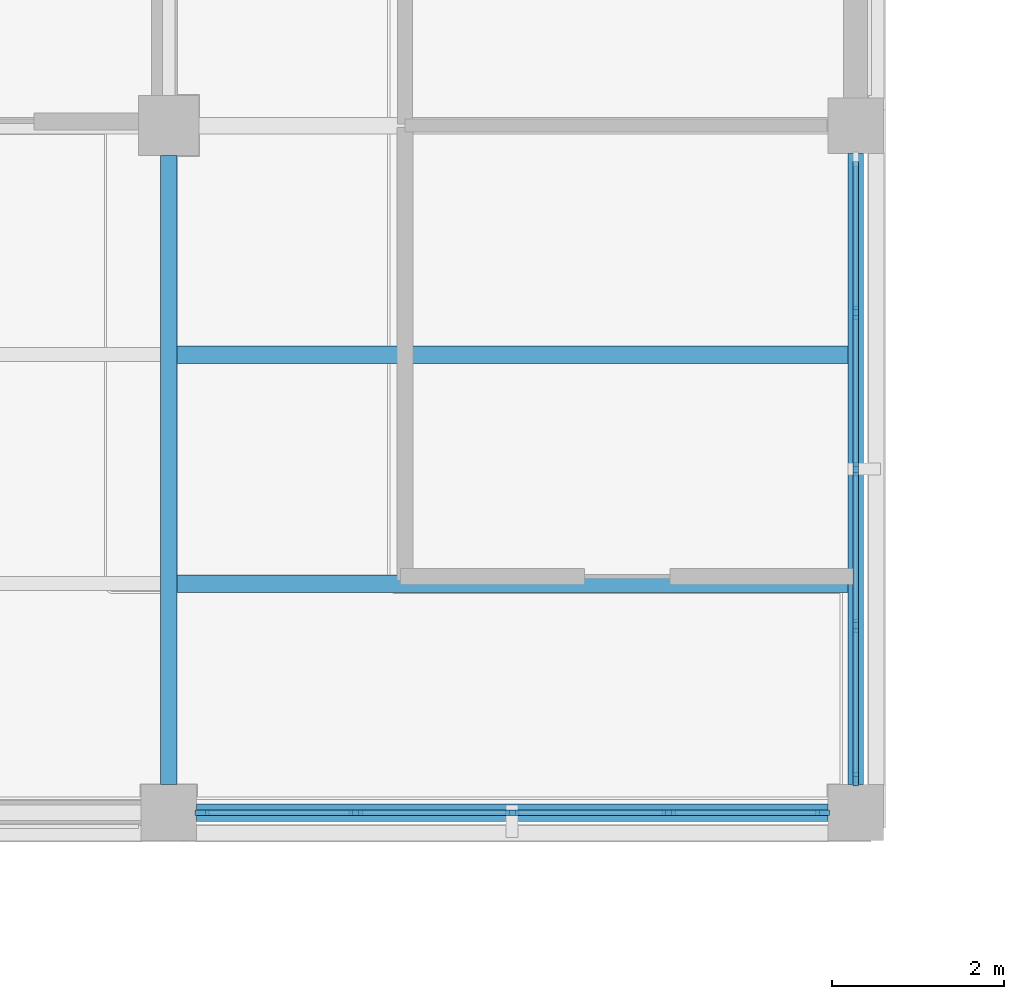
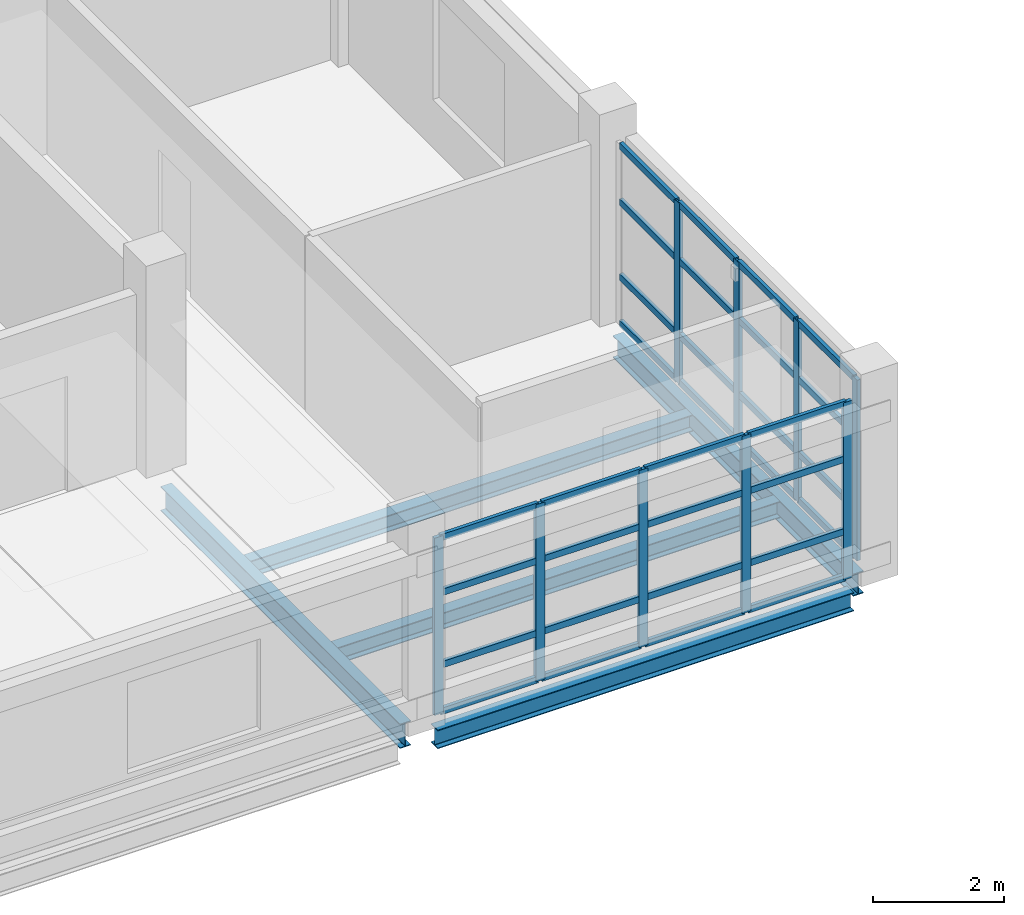
# One storey, part 26 of 92: 41 members, 5 beams, 2 elements without a shape of their own.
"""IFC4 building model written with IfcOpenShell, lengths in metres."""

from ifc_helpers import new_model, si_unit, derived_unit, direction, frame, origin, origin_2d, place, context, subcontext, project, spatial, rectangle, i_section, extrude, material, layer, layer_set, material_profile, profile_set, type_object, element, aggregate, save


model = new_model("IFC4")

# Units and contexts
model_context = context("Model", 3, precision=1e-05, world=origin(), true_north=direction((0.0, 1.0)))
body_context = subcontext(model_context, "Body", "Model", "MODEL_VIEW")
ifc_project = project(units=[si_unit("LENGTHUNIT", "METRE"), si_unit("AREAUNIT", "SQUARE_METRE"), si_unit("VOLUMEUNIT", "CUBIC_METRE"), si_unit("PLANEANGLEUNIT", "RADIAN"), si_unit("MASSUNIT", "GRAM", prefix="KILO"), derived_unit("THERMALTRANSMITTANCEUNIT", [(si_unit("MASSUNIT", "GRAM", prefix="KILO"), 1), (si_unit("TIMEUNIT", "SECOND"), -3), (si_unit("THERMODYNAMICTEMPERATUREUNIT", "KELVIN"), -1)])], contexts=[model_context])

# Site, building, storey
site_placement = place(None, origin())
site = spatial("IfcSite", under=ifc_project, at=site_placement, CompositionType="ELEMENT")
building_placement = place(site_placement, origin())
building = spatial("IfcBuilding", under=site, at=building_placement, Name="Veyamyaing Civic Hall", CompositionType="ELEMENT")
storey_placement = place(building_placement, frame((0.0, 0.0, 17.820068359375)))
storey = spatial("IfcBuildingStorey", under=building, at=storey_placement, Name="L04", CompositionType="ELEMENT", Elevation=17.820068359375)

# Beams
ifc_material_1 = material(Name="Steel ASTM A992", Category="steel")
ifc_material_profile_1 = material_profile(ifc_material_1, i_section(OverallWidth=0.18994140625, OverallDepth=0.45703125, WebThickness=0.009033203125, FlangeThickness=0.014404296875, FilletRadius=0.010009765625, at=origin_2d()), Name="W460X74")
ifc_profile_set_1 = profile_set([ifc_material_profile_1], Name="Steel ASTM A992")
beam_type_1 = type_object("IfcBeamType", Name="B-09", PredefinedType="BEAM", material=ifc_profile_set_1)
beam_1_placement = place(storey_placement, frame((40.0, 88.324951171875, -0.463623046875), z_axis=(0.0, 1.0, 0.0), x_axis=(-1.0, 0.0, 0.0)))
element("IfcBeam", 1, at=beam_1_placement, inside=storey, type_object=beam_type_1, Name="Girder B-09 L04 Grid 6 M-N", PredefinedType="BEAM", context=body_context, shape_type="SweptSolid", body=[
    extrude(i_section(OverallWidth=0.18994140625, OverallDepth=0.45703125, WebThickness=0.009033203125, FlangeThickness=0.014404296875, FilletRadius=0.010009765625, at=origin_2d()), origin(), (0.0, 0.0, 1.0), 7.324951171875),
])
ifc_material_profile_2 = material_profile(ifc_material_1, i_section(OverallWidth=0.2041015625, OverallDepth=0.35009765625, WebThickness=0.0078125, FlangeThickness=0.01513671875, FilletRadius=0.010009765625, at=origin_2d()), Name="W360X72")
ifc_profile_set_2 = profile_set([ifc_material_profile_2], Name="Steel ASTM A992")
beam_type_2 = type_object("IfcBeamType", Name="B-11", PredefinedType="SPANDREL", material=ifc_profile_set_2)
beam_2_placement = place(storey_placement, frame((40.324951171875, 88.0, -0.41015625), z_axis=(1.0, 0.0, 0.0), x_axis=(0.0, 1.0, 0.0)))
element("IfcBeam", 2, at=beam_2_placement, inside=storey, type_object=beam_type_2, Name="Girder B-11 L04 Grid M 6-7", PredefinedType="SPANDREL", context=body_context, shape_type="SweptSolid", body=[
    extrude(i_section(OverallWidth=0.2041015625, OverallDepth=0.35009765625, WebThickness=0.0078125, FlangeThickness=0.01513671875, FilletRadius=0.010009765625, at=origin_2d()), origin(), (0.0, 0.0, 1.0), 7.35009765625),
])
ifc_material_profile_3 = material_profile(ifc_material_1, i_section(OverallWidth=0.180908203125, OverallDepth=0.4169921875, WebThickness=0.010986328125, FlangeThickness=0.018310546875, FilletRadius=0.010009765625, at=origin_2d()), Name="W410X85")
ifc_profile_set_3 = profile_set([ifc_material_profile_3], Name="Steel ASTM A992")
beam_type_3 = type_object("IfcBeamType", Name="B-19", PredefinedType="SPANDREL", material=ifc_profile_set_3)
beam_3_placement = place(storey_placement, frame((48.0, 88.324951171875, -0.443603515625), z_axis=(0.0, 1.0, 0.0), x_axis=(-1.0, 0.0, 0.0)))
element("IfcBeam", 3, at=beam_3_placement, inside=storey, type_object=beam_type_3, Name="Girder B-19 L04 Grid 7 M-N", PredefinedType="SPANDREL", context=body_context, shape_type="SweptSolid", body=[
    extrude(i_section(OverallWidth=0.180908203125, OverallDepth=0.4169921875, WebThickness=0.010986328125, FlangeThickness=0.018310546875, FilletRadius=0.010009765625, at=origin_2d()), origin(), (0.0, 0.0, 1.0), 7.35009765625),
])

# Curtain wall, members
ifc_material_2 = material(Name="Anodised aluminium 6063-T6", Category="aluminium")
ifc_layer = layer(ifc_material_2, 0.159912109375, Name="Anodised aluminium 6063-T6")
ifc_layer_set = layer_set([ifc_layer], Name="Anodised aluminium 6063-T6")
curtain_wall_type = type_object("IfcCurtainWallType", Name="CW-08", PredefinedType="NOTDEFINED", material=ifc_layer_set)
curtain_wall_1_placement = place(storey_placement, origin())
curtain_wall_1 = element("IfcCurtainWall", 4, at=curtain_wall_1_placement, inside=storey, type_object=curtain_wall_type, Name="Unitized curtain wall CW-08 L04 S 6.12", PredefinedType="NOTDEFINED")
ifc_material_profile_4 = material_profile(ifc_material_2, rectangle(XDim=0.06494140625, YDim=0.159912109375, at=origin_2d()), Name="ALU-MUL-65X160")
ifc_profile_set_4 = profile_set([ifc_material_profile_4], Name="Anodised aluminium 6063-T6")
member_type_1 = type_object("IfcMemberType", Name="CWM-01", PredefinedType="MULLION", material=ifc_profile_set_4)
member_1_placement = place(storey_placement, frame((40.387451171875, 88.0, 0.0), z_axis=(0.0, 0.0, 1.0), x_axis=(0.0, 1.0, 0.0)))
member_1 = element("IfcMember", 5, at=member_1_placement, type_object=member_type_1, Name="CW-08 mullion 1", PredefinedType="MULLION", context=body_context, shape_type="SweptSolid", body=[
    extrude(rectangle(XDim=0.06494140625, YDim=0.159912109375, at=origin_2d()), origin(), (0.0, 0.0, 1.0), 3.309814453125),
])
member_2_placement = place(storey_placement, frame((42.177490234375, 88.0, 0.0), z_axis=(0.0, 0.0, 1.0), x_axis=(0.0, 1.0, 0.0)))
member_2 = element("IfcMember", 6, at=member_2_placement, type_object=member_type_1, Name="CW-08 mullion 2", PredefinedType="MULLION", context=body_context, shape_type="SweptSolid", body=[
    extrude(rectangle(XDim=0.06494140625, YDim=0.159912109375, at=origin_2d()), origin(), (0.0, 0.0, 1.0), 3.309814453125),
])
member_3_placement = place(storey_placement, frame((44.0, 88.0, 0.0), z_axis=(0.0, 0.0, 1.0), x_axis=(0.0, 1.0, 0.0)))
member_3 = element("IfcMember", 7, at=member_3_placement, type_object=member_type_1, Name="CW-08 mullion 3", PredefinedType="MULLION", context=body_context, shape_type="SweptSolid", body=[
    extrude(rectangle(XDim=0.06494140625, YDim=0.159912109375, at=origin_2d()), origin(), (0.0, 0.0, 1.0), 3.309814453125),
])
member_4_placement = place(storey_placement, frame((45.822509765625, 88.0, 0.0), z_axis=(0.0, 0.0, 1.0), x_axis=(0.0, 1.0, 0.0)))
member_4 = element("IfcMember", 8, at=member_4_placement, type_object=member_type_1, Name="CW-08 mullion 4", PredefinedType="MULLION", context=body_context, shape_type="SweptSolid", body=[
    extrude(rectangle(XDim=0.06494140625, YDim=0.159912109375, at=origin_2d()), origin(), (0.0, 0.0, 1.0), 3.309814453125),
])
member_5_placement = place(storey_placement, frame((47.612548828125, 88.0, 0.0), z_axis=(0.0, 0.0, 1.0), x_axis=(0.0, 1.0, 0.0)))
member_5 = element("IfcMember", 9, at=member_5_placement, type_object=member_type_1, Name="CW-08 mullion 5", PredefinedType="MULLION", context=body_context, shape_type="SweptSolid", body=[
    extrude(rectangle(XDim=0.06494140625, YDim=0.159912109375, at=origin_2d()), origin(), (0.0, 0.0, 1.0), 3.309814453125),
])

curtain_wall_2_placement = place(storey_placement, origin())
curtain_wall_2 = element("IfcCurtainWall", 10, at=curtain_wall_2_placement, inside=storey, type_object=curtain_wall_type, Name="Unitized curtain wall CW-08 L04 E 6.12", PredefinedType="NOTDEFINED")
member_6_placement = place(storey_placement, frame((48.0, 88.387451171875, 0.0), z_axis=(0.0, 0.0, 1.0), x_axis=(-1.0, 0.0, 0.0)))
member_6 = element("IfcMember", 11, at=member_6_placement, type_object=member_type_1, Name="CW-08 mullion 1", PredefinedType="MULLION", context=body_context, shape_type="SweptSolid", body=[
    extrude(rectangle(XDim=0.06494140625, YDim=0.159912109375, at=origin_2d()), origin(), (0.0, 0.0, 1.0), 3.3740234375),
])
member_7_placement = place(storey_placement, frame((48.0, 90.177490234375, 0.0), z_axis=(0.0, 0.0, 1.0), x_axis=(-1.0, 0.0, 0.0)))
member_7 = element("IfcMember", 12, at=member_7_placement, type_object=member_type_1, Name="CW-08 mullion 2", PredefinedType="MULLION", context=body_context, shape_type="SweptSolid", body=[
    extrude(rectangle(XDim=0.06494140625, YDim=0.159912109375, at=origin_2d()), origin(), (0.0, 0.0, 1.0), 3.3740234375),
])
member_8_placement = place(storey_placement, frame((48.0, 92.0, 0.0), z_axis=(0.0, 0.0, 1.0), x_axis=(-1.0, 0.0, 0.0)))
member_8 = element("IfcMember", 13, at=member_8_placement, type_object=member_type_1, Name="CW-08 mullion 3", PredefinedType="MULLION", context=body_context, shape_type="SweptSolid", body=[
    extrude(rectangle(XDim=0.06494140625, YDim=0.159912109375, at=origin_2d()), origin(), (0.0, 0.0, 1.0), 3.3740234375),
])
member_9_placement = place(storey_placement, frame((48.0, 93.822509765625, 0.0), z_axis=(0.0, 0.0, 1.0), x_axis=(-1.0, 0.0, 0.0)))
member_9 = element("IfcMember", 14, at=member_9_placement, type_object=member_type_1, Name="CW-08 mullion 4", PredefinedType="MULLION", context=body_context, shape_type="SweptSolid", body=[
    extrude(rectangle(XDim=0.06494140625, YDim=0.159912109375, at=origin_2d()), origin(), (0.0, 0.0, 1.0), 3.3740234375),
])

# Member
ifc_material_profile_5 = material_profile(ifc_material_2, rectangle(XDim=0.06494140625, YDim=0.1201171875, at=origin_2d()), Name="ALU-TRN-65X120")
ifc_profile_set_5 = profile_set([ifc_material_profile_5], Name="Anodised aluminium 6063-T6")
member_type_2 = type_object("IfcMemberType", Name="CWT-01", PredefinedType="USERDEFINED", material=ifc_profile_set_5)
member_10_placement = place(storey_placement, frame((40.419921875, 88.0, 0.032470703125), z_axis=(1.0, 0.0, 0.0), x_axis=(0.0, 1.0, 0.0)))
member_10 = element("IfcMember", 15, at=member_10_placement, type_object=member_type_2, Name="CW-08 transom 1.1", ObjectType="TRANSOM", PredefinedType="USERDEFINED", context=body_context, shape_type="SweptSolid", body=[
    extrude(rectangle(XDim=0.06494140625, YDim=0.1201171875, at=origin_2d()), origin(), (0.0, 0.0, 1.0), 1.72509765625),
])

member_11_placement = place(storey_placement, frame((40.419921875, 88.0, 0.89990234375), z_axis=(1.0, 0.0, 0.0), x_axis=(0.0, 1.0, 0.0)))
member_11 = element("IfcMember", 16, at=member_11_placement, type_object=member_type_2, Name="CW-08 transom 1.2", ObjectType="TRANSOM", PredefinedType="USERDEFINED", context=body_context, shape_type="SweptSolid", body=[
    extrude(rectangle(XDim=0.06494140625, YDim=0.1201171875, at=origin_2d()), origin(), (0.0, 0.0, 1.0), 1.72509765625),
])

member_12_placement = place(storey_placement, frame((40.419921875, 88.0, 2.250732421875), z_axis=(1.0, 0.0, 0.0), x_axis=(0.0, 1.0, 0.0)))
member_12 = element("IfcMember", 17, at=member_12_placement, type_object=member_type_2, Name="CW-08 transom 1.3", ObjectType="TRANSOM", PredefinedType="USERDEFINED", context=body_context, shape_type="SweptSolid", body=[
    extrude(rectangle(XDim=0.06494140625, YDim=0.1201171875, at=origin_2d()), origin(), (0.0, 0.0, 1.0), 1.72509765625),
])

member_13_placement = place(storey_placement, frame((40.419921875, 88.0, 3.27734375), z_axis=(1.0, 0.0, 0.0), x_axis=(0.0, 1.0, 0.0)))
member_13 = element("IfcMember", 18, at=member_13_placement, type_object=member_type_2, Name="CW-08 transom 1.4", ObjectType="TRANSOM", PredefinedType="USERDEFINED", context=body_context, shape_type="SweptSolid", body=[
    extrude(rectangle(XDim=0.06494140625, YDim=0.1201171875, at=origin_2d()), origin(), (0.0, 0.0, 1.0), 1.72509765625),
])

member_14_placement = place(storey_placement, frame((42.2099609375, 88.0, 0.032470703125), z_axis=(1.0, 0.0, 0.0), x_axis=(0.0, 1.0, 0.0)))
member_14 = element("IfcMember", 19, at=member_14_placement, type_object=member_type_2, Name="CW-08 transom 2.1", ObjectType="TRANSOM", PredefinedType="USERDEFINED", context=body_context, shape_type="SweptSolid", body=[
    extrude(rectangle(XDim=0.06494140625, YDim=0.1201171875, at=origin_2d()), origin(), (0.0, 0.0, 1.0), 1.757568359375),
])

member_15_placement = place(storey_placement, frame((42.2099609375, 88.0, 0.89990234375), z_axis=(1.0, 0.0, 0.0), x_axis=(0.0, 1.0, 0.0)))
member_15 = element("IfcMember", 20, at=member_15_placement, type_object=member_type_2, Name="CW-08 transom 2.2", ObjectType="TRANSOM", PredefinedType="USERDEFINED", context=body_context, shape_type="SweptSolid", body=[
    extrude(rectangle(XDim=0.06494140625, YDim=0.1201171875, at=origin_2d()), origin(), (0.0, 0.0, 1.0), 1.757568359375),
])

member_16_placement = place(storey_placement, frame((42.2099609375, 88.0, 2.250732421875), z_axis=(1.0, 0.0, 0.0), x_axis=(0.0, 1.0, 0.0)))
member_16 = element("IfcMember", 21, at=member_16_placement, type_object=member_type_2, Name="CW-08 transom 2.3", ObjectType="TRANSOM", PredefinedType="USERDEFINED", context=body_context, shape_type="SweptSolid", body=[
    extrude(rectangle(XDim=0.06494140625, YDim=0.1201171875, at=origin_2d()), origin(), (0.0, 0.0, 1.0), 1.757568359375),
])

member_17_placement = place(storey_placement, frame((42.2099609375, 88.0, 3.27734375), z_axis=(1.0, 0.0, 0.0), x_axis=(0.0, 1.0, 0.0)))
member_17 = element("IfcMember", 22, at=member_17_placement, type_object=member_type_2, Name="CW-08 transom 2.4", ObjectType="TRANSOM", PredefinedType="USERDEFINED", context=body_context, shape_type="SweptSolid", body=[
    extrude(rectangle(XDim=0.06494140625, YDim=0.1201171875, at=origin_2d()), origin(), (0.0, 0.0, 1.0), 1.757568359375),
])

member_18_placement = place(storey_placement, frame((44.032470703125, 88.0, 0.032470703125), z_axis=(1.0, 0.0, 0.0), x_axis=(0.0, 1.0, 0.0)))
member_18 = element("IfcMember", 23, at=member_18_placement, type_object=member_type_2, Name="CW-08 transom 3.1", ObjectType="TRANSOM", PredefinedType="USERDEFINED", context=body_context, shape_type="SweptSolid", body=[
    extrude(rectangle(XDim=0.06494140625, YDim=0.1201171875, at=origin_2d()), origin(), (0.0, 0.0, 1.0), 1.757568359375),
])

member_19_placement = place(storey_placement, frame((44.032470703125, 88.0, 0.89990234375), z_axis=(1.0, 0.0, 0.0), x_axis=(0.0, 1.0, 0.0)))
member_19 = element("IfcMember", 24, at=member_19_placement, type_object=member_type_2, Name="CW-08 transom 3.2", ObjectType="TRANSOM", PredefinedType="USERDEFINED", context=body_context, shape_type="SweptSolid", body=[
    extrude(rectangle(XDim=0.06494140625, YDim=0.1201171875, at=origin_2d()), origin(), (0.0, 0.0, 1.0), 1.757568359375),
])

member_20_placement = place(storey_placement, frame((44.032470703125, 88.0, 2.250732421875), z_axis=(1.0, 0.0, 0.0), x_axis=(0.0, 1.0, 0.0)))
member_20 = element("IfcMember", 25, at=member_20_placement, type_object=member_type_2, Name="CW-08 transom 3.3", ObjectType="TRANSOM", PredefinedType="USERDEFINED", context=body_context, shape_type="SweptSolid", body=[
    extrude(rectangle(XDim=0.06494140625, YDim=0.1201171875, at=origin_2d()), origin(), (0.0, 0.0, 1.0), 1.757568359375),
])

member_21_placement = place(storey_placement, frame((44.032470703125, 88.0, 3.27734375), z_axis=(1.0, 0.0, 0.0), x_axis=(0.0, 1.0, 0.0)))
member_21 = element("IfcMember", 26, at=member_21_placement, type_object=member_type_2, Name="CW-08 transom 3.4", ObjectType="TRANSOM", PredefinedType="USERDEFINED", context=body_context, shape_type="SweptSolid", body=[
    extrude(rectangle(XDim=0.06494140625, YDim=0.1201171875, at=origin_2d()), origin(), (0.0, 0.0, 1.0), 1.757568359375),
])

member_22_placement = place(storey_placement, frame((45.85498046875, 88.0, 0.032470703125), z_axis=(1.0, 0.0, 0.0), x_axis=(0.0, 1.0, 0.0)))
member_22 = element("IfcMember", 27, at=member_22_placement, type_object=member_type_2, Name="CW-08 transom 4.1", ObjectType="TRANSOM", PredefinedType="USERDEFINED", context=body_context, shape_type="SweptSolid", body=[
    extrude(rectangle(XDim=0.06494140625, YDim=0.1201171875, at=origin_2d()), origin(), (0.0, 0.0, 1.0), 1.72509765625),
])

member_23_placement = place(storey_placement, frame((45.85498046875, 88.0, 0.89990234375), z_axis=(1.0, 0.0, 0.0), x_axis=(0.0, 1.0, 0.0)))
member_23 = element("IfcMember", 28, at=member_23_placement, type_object=member_type_2, Name="CW-08 transom 4.2", ObjectType="TRANSOM", PredefinedType="USERDEFINED", context=body_context, shape_type="SweptSolid", body=[
    extrude(rectangle(XDim=0.06494140625, YDim=0.1201171875, at=origin_2d()), origin(), (0.0, 0.0, 1.0), 1.72509765625),
])

member_24_placement = place(storey_placement, frame((45.85498046875, 88.0, 2.250732421875), z_axis=(1.0, 0.0, 0.0), x_axis=(0.0, 1.0, 0.0)))
member_24 = element("IfcMember", 29, at=member_24_placement, type_object=member_type_2, Name="CW-08 transom 4.3", ObjectType="TRANSOM", PredefinedType="USERDEFINED", context=body_context, shape_type="SweptSolid", body=[
    extrude(rectangle(XDim=0.06494140625, YDim=0.1201171875, at=origin_2d()), origin(), (0.0, 0.0, 1.0), 1.72509765625),
])

member_25_placement = place(storey_placement, frame((45.85498046875, 88.0, 3.27734375), z_axis=(1.0, 0.0, 0.0), x_axis=(0.0, 1.0, 0.0)))
member_25 = element("IfcMember", 30, at=member_25_placement, type_object=member_type_2, Name="CW-08 transom 4.4", ObjectType="TRANSOM", PredefinedType="USERDEFINED", context=body_context, shape_type="SweptSolid", body=[
    extrude(rectangle(XDim=0.06494140625, YDim=0.1201171875, at=origin_2d()), origin(), (0.0, 0.0, 1.0), 1.72509765625),
])

aggregate(curtain_wall_1, [member_1, member_2, member_3, member_4, member_5, member_10, member_11, member_12, member_13, member_14, member_15, member_16, member_17, member_18, member_19, member_20, member_21, member_22, member_23, member_24, member_25])

member_26_placement = place(storey_placement, frame((48.0, 88.419921875, 0.032470703125), z_axis=(0.0, 1.0, 0.0), x_axis=(-1.0, 0.0, 0.0)))
member_26 = element("IfcMember", 31, at=member_26_placement, type_object=member_type_2, Name="CW-08 transom 1.1", ObjectType="TRANSOM", PredefinedType="USERDEFINED", context=body_context, shape_type="SweptSolid", body=[
    extrude(rectangle(XDim=0.06494140625, YDim=0.1201171875, at=origin_2d()), origin(), (0.0, 0.0, 1.0), 1.72509765625),
])

member_27_placement = place(storey_placement, frame((48.0, 88.419921875, 0.89990234375), z_axis=(0.0, 1.0, 0.0), x_axis=(-1.0, 0.0, 0.0)))
member_27 = element("IfcMember", 32, at=member_27_placement, type_object=member_type_2, Name="CW-08 transom 1.2", ObjectType="TRANSOM", PredefinedType="USERDEFINED", context=body_context, shape_type="SweptSolid", body=[
    extrude(rectangle(XDim=0.06494140625, YDim=0.1201171875, at=origin_2d()), origin(), (0.0, 0.0, 1.0), 1.72509765625),
])

member_28_placement = place(storey_placement, frame((48.0, 88.419921875, 2.294189453125), z_axis=(0.0, 1.0, 0.0), x_axis=(-1.0, 0.0, 0.0)))
member_28 = element("IfcMember", 33, at=member_28_placement, type_object=member_type_2, Name="CW-08 transom 1.3", ObjectType="TRANSOM", PredefinedType="USERDEFINED", context=body_context, shape_type="SweptSolid", body=[
    extrude(rectangle(XDim=0.06494140625, YDim=0.1201171875, at=origin_2d()), origin(), (0.0, 0.0, 1.0), 1.72509765625),
])

member_29_placement = place(storey_placement, frame((48.0, 88.419921875, 3.341552734375), z_axis=(0.0, 1.0, 0.0), x_axis=(-1.0, 0.0, 0.0)))
member_29 = element("IfcMember", 34, at=member_29_placement, type_object=member_type_2, Name="CW-08 transom 1.4", ObjectType="TRANSOM", PredefinedType="USERDEFINED", context=body_context, shape_type="SweptSolid", body=[
    extrude(rectangle(XDim=0.06494140625, YDim=0.1201171875, at=origin_2d()), origin(), (0.0, 0.0, 1.0), 1.72509765625),
])

member_30_placement = place(storey_placement, frame((48.0, 90.2099609375, 0.032470703125), z_axis=(0.0, 1.0, 0.0), x_axis=(-1.0, 0.0, 0.0)))
member_30 = element("IfcMember", 35, at=member_30_placement, type_object=member_type_2, Name="CW-08 transom 2.1", ObjectType="TRANSOM", PredefinedType="USERDEFINED", context=body_context, shape_type="SweptSolid", body=[
    extrude(rectangle(XDim=0.06494140625, YDim=0.1201171875, at=origin_2d()), origin(), (0.0, 0.0, 1.0), 1.757568359375),
])

member_31_placement = place(storey_placement, frame((48.0, 90.2099609375, 0.89990234375), z_axis=(0.0, 1.0, 0.0), x_axis=(-1.0, 0.0, 0.0)))
member_31 = element("IfcMember", 36, at=member_31_placement, type_object=member_type_2, Name="CW-08 transom 2.2", ObjectType="TRANSOM", PredefinedType="USERDEFINED", context=body_context, shape_type="SweptSolid", body=[
    extrude(rectangle(XDim=0.06494140625, YDim=0.1201171875, at=origin_2d()), origin(), (0.0, 0.0, 1.0), 1.757568359375),
])

member_32_placement = place(storey_placement, frame((48.0, 90.2099609375, 2.294189453125), z_axis=(0.0, 1.0, 0.0), x_axis=(-1.0, 0.0, 0.0)))
member_32 = element("IfcMember", 37, at=member_32_placement, type_object=member_type_2, Name="CW-08 transom 2.3", ObjectType="TRANSOM", PredefinedType="USERDEFINED", context=body_context, shape_type="SweptSolid", body=[
    extrude(rectangle(XDim=0.06494140625, YDim=0.1201171875, at=origin_2d()), origin(), (0.0, 0.0, 1.0), 1.757568359375),
])

member_33_placement = place(storey_placement, frame((48.0, 90.2099609375, 3.341552734375), z_axis=(0.0, 1.0, 0.0), x_axis=(-1.0, 0.0, 0.0)))
member_33 = element("IfcMember", 38, at=member_33_placement, type_object=member_type_2, Name="CW-08 transom 2.4", ObjectType="TRANSOM", PredefinedType="USERDEFINED", context=body_context, shape_type="SweptSolid", body=[
    extrude(rectangle(XDim=0.06494140625, YDim=0.1201171875, at=origin_2d()), origin(), (0.0, 0.0, 1.0), 1.757568359375),
])

member_34_placement = place(storey_placement, frame((48.0, 92.032470703125, 0.032470703125), z_axis=(0.0, 1.0, 0.0), x_axis=(-1.0, 0.0, 0.0)))
member_34 = element("IfcMember", 39, at=member_34_placement, type_object=member_type_2, Name="CW-08 transom 3.1", ObjectType="TRANSOM", PredefinedType="USERDEFINED", context=body_context, shape_type="SweptSolid", body=[
    extrude(rectangle(XDim=0.06494140625, YDim=0.1201171875, at=origin_2d()), origin(), (0.0, 0.0, 1.0), 1.757568359375),
])

member_35_placement = place(storey_placement, frame((48.0, 92.032470703125, 0.89990234375), z_axis=(0.0, 1.0, 0.0), x_axis=(-1.0, 0.0, 0.0)))
member_35 = element("IfcMember", 40, at=member_35_placement, type_object=member_type_2, Name="CW-08 transom 3.2", ObjectType="TRANSOM", PredefinedType="USERDEFINED", context=body_context, shape_type="SweptSolid", body=[
    extrude(rectangle(XDim=0.06494140625, YDim=0.1201171875, at=origin_2d()), origin(), (0.0, 0.0, 1.0), 1.757568359375),
])

member_36_placement = place(storey_placement, frame((48.0, 92.032470703125, 2.294189453125), z_axis=(0.0, 1.0, 0.0), x_axis=(-1.0, 0.0, 0.0)))
member_36 = element("IfcMember", 41, at=member_36_placement, type_object=member_type_2, Name="CW-08 transom 3.3", ObjectType="TRANSOM", PredefinedType="USERDEFINED", context=body_context, shape_type="SweptSolid", body=[
    extrude(rectangle(XDim=0.06494140625, YDim=0.1201171875, at=origin_2d()), origin(), (0.0, 0.0, 1.0), 1.757568359375),
])

member_37_placement = place(storey_placement, frame((48.0, 92.032470703125, 3.341552734375), z_axis=(0.0, 1.0, 0.0), x_axis=(-1.0, 0.0, 0.0)))
member_37 = element("IfcMember", 42, at=member_37_placement, type_object=member_type_2, Name="CW-08 transom 3.4", ObjectType="TRANSOM", PredefinedType="USERDEFINED", context=body_context, shape_type="SweptSolid", body=[
    extrude(rectangle(XDim=0.06494140625, YDim=0.1201171875, at=origin_2d()), origin(), (0.0, 0.0, 1.0), 1.757568359375),
])

member_38_placement = place(storey_placement, frame((48.0, 93.85498046875, 0.032470703125), z_axis=(0.0, 1.0, 0.0), x_axis=(-1.0, 0.0, 0.0)))
member_38 = element("IfcMember", 43, at=member_38_placement, type_object=member_type_2, Name="CW-08 transom 4.1", ObjectType="TRANSOM", PredefinedType="USERDEFINED", context=body_context, shape_type="SweptSolid", body=[
    extrude(rectangle(XDim=0.06494140625, YDim=0.1201171875, at=origin_2d()), origin(), (0.0, 0.0, 1.0), 1.72509765625),
])

member_39_placement = place(storey_placement, frame((48.0, 93.85498046875, 0.89990234375), z_axis=(0.0, 1.0, 0.0), x_axis=(-1.0, 0.0, 0.0)))
member_39 = element("IfcMember", 44, at=member_39_placement, type_object=member_type_2, Name="CW-08 transom 4.2", ObjectType="TRANSOM", PredefinedType="USERDEFINED", context=body_context, shape_type="SweptSolid", body=[
    extrude(rectangle(XDim=0.06494140625, YDim=0.1201171875, at=origin_2d()), origin(), (0.0, 0.0, 1.0), 1.72509765625),
])

member_40_placement = place(storey_placement, frame((48.0, 93.85498046875, 2.294189453125), z_axis=(0.0, 1.0, 0.0), x_axis=(-1.0, 0.0, 0.0)))
member_40 = element("IfcMember", 45, at=member_40_placement, type_object=member_type_2, Name="CW-08 transom 4.3", ObjectType="TRANSOM", PredefinedType="USERDEFINED", context=body_context, shape_type="SweptSolid", body=[
    extrude(rectangle(XDim=0.06494140625, YDim=0.1201171875, at=origin_2d()), origin(), (0.0, 0.0, 1.0), 1.72509765625),
])

member_41_placement = place(storey_placement, frame((48.0, 93.85498046875, 3.341552734375), z_axis=(0.0, 1.0, 0.0), x_axis=(-1.0, 0.0, 0.0)))
member_41 = element("IfcMember", 46, at=member_41_placement, type_object=member_type_2, Name="CW-08 transom 4.4", ObjectType="TRANSOM", PredefinedType="USERDEFINED", context=body_context, shape_type="SweptSolid", body=[
    extrude(rectangle(XDim=0.06494140625, YDim=0.1201171875, at=origin_2d()), origin(), (0.0, 0.0, 1.0), 1.72509765625),
])

aggregate(curtain_wall_2, [member_6, member_7, member_8, member_9, member_26, member_27, member_28, member_29, member_30, member_31, member_32, member_33, member_34, member_35, member_36, member_37, member_38, member_39, member_40, member_41])

# Beams
ifc_material_profile_6 = material_profile(ifc_material_1, i_section(OverallWidth=0.2041015625, OverallDepth=0.305908203125, WebThickness=0.008544921875, FlangeThickness=0.0146484375, FilletRadius=0.010009765625, at=origin_2d()), Name="W310X67")
ifc_profile_set_6 = profile_set([ifc_material_profile_6], Name="Steel ASTM A992")
beam_type_4 = type_object("IfcBeamType", Name="J-06", PredefinedType="JOIST", material=ifc_profile_set_6)
for number, where, z_axis, x_axis, name in (
    (47, (40.093017578125, 90.666748046875, -0.38818359375), (1.0, 0.0, 0.0), (0.0, 1.0, 0.0), "Composite floor joist J-06 L04 6.12.1"),
    (48, (40.093017578125, 93.333251953125, -0.38818359375), (1.0, 0.0, 0.0), (0.0, 1.0, 0.0), "Composite floor joist J-06 L04 6.12.2"),
):
    element("IfcBeam", number, at=place(storey_placement, frame(where, z_axis=z_axis, x_axis=x_axis)), inside=storey, type_object=beam_type_4, Name=name, PredefinedType="JOIST", context=body_context, shape_type="SweptSolid", body=[
        extrude(i_section(OverallWidth=0.2041015625, OverallDepth=0.305908203125, WebThickness=0.008544921875, FlangeThickness=0.0146484375, FilletRadius=0.010009765625, at=origin_2d()), origin(), (0.0, 0.0, 1.0), 7.818603515625),
    ])

save(model, "model.ifc")
